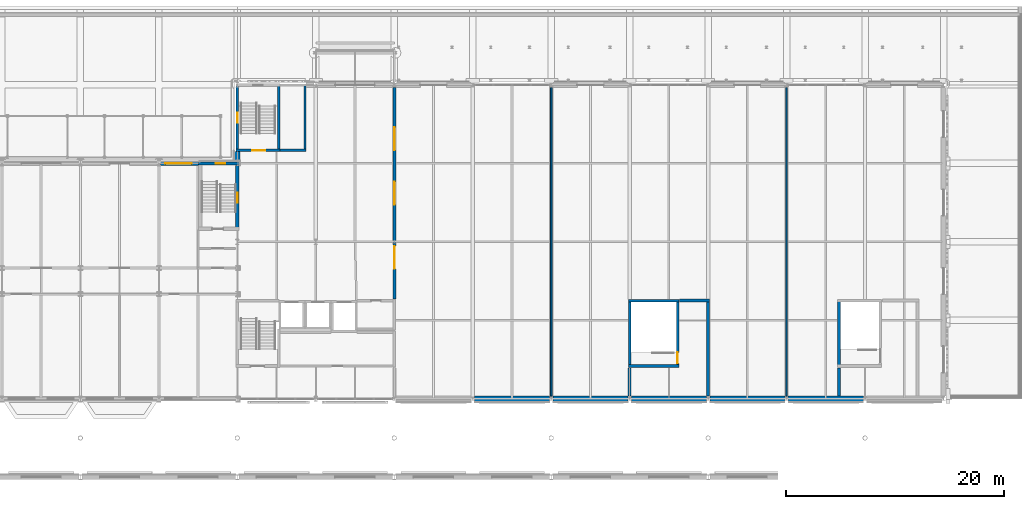
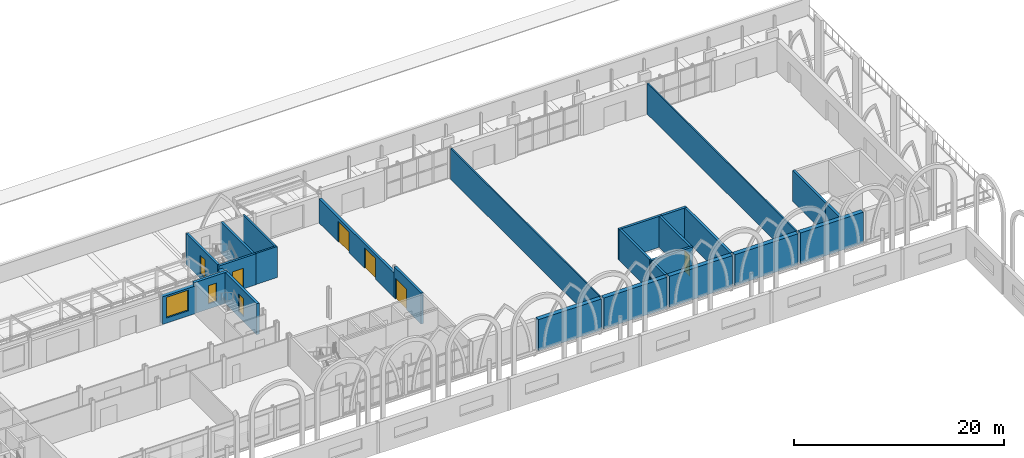
# One storey, part 83 of 143: 27 walls, 5 doors, 4 windows, 9 openings.
"""IFC4 building model written with IfcOpenShell, lengths in metres."""

from ifc_helpers import new_model, si_unit, direction, frame, frame_2d, origin, place, context, subcontext, project, spatial, rectangle, extrude, material, layer, layer_set, type_object, element, fill, save


model = new_model("IFC4")

# Units and contexts
model_context = context("Model", 3, precision=1e-05, world=origin(), true_north=direction((0.0, 1.0)))
body_context = subcontext(model_context, "Body", "Model", "MODEL_VIEW")
ifc_project = project(units=[si_unit("LENGTHUNIT", "METRE"), si_unit("AREAUNIT", "SQUARE_METRE"), si_unit("VOLUMEUNIT", "CUBIC_METRE"), si_unit("PLANEANGLEUNIT", "RADIAN"), si_unit("MASSUNIT", "GRAM", prefix="KILO")], contexts=[model_context])

# Site, building, storey
site_placement = place(None, origin())
site = spatial("IfcSite", under=ifc_project, at=site_placement, CompositionType="ELEMENT")
building_placement = place(site_placement, origin())
building = spatial("IfcBuilding", under=site, at=building_placement, Name="Kupolbacken Congress Centre", CompositionType="ELEMENT")
storey_placement = place(building_placement, frame((0.0, 0.0, 7.199951171875)))
storey = spatial("IfcBuildingStorey", under=building, at=storey_placement, Name="L02", CompositionType="ELEMENT", Elevation=7.199951171875)

# Wall, opening, window
ifc_material_1 = material(Name="Limestone", Category="masonry")
ifc_layer_1 = layer(ifc_material_1, 0.1201171875)
ifc_material_2 = material(Name="Air cavity", Category="air")
ifc_layer_2 = layer(ifc_material_2, 0.0400390625, ventilated=True)
ifc_material_3 = material(Name="Mineral wool", Category="insulation")
ifc_layer_3 = layer(ifc_material_3, 0.169921875)
ifc_material_4 = material(Name="Steel studs", Category="metal")
ifc_layer_4 = layer(ifc_material_4, 0.050048828125)
ifc_layer_set_1 = layer_set([ifc_layer_1, ifc_layer_2, ifc_layer_3, ifc_layer_4], Name="Limestone / Mineral wool / Steel studs")
wall_type_1 = type_object("IfcWallType", Name="EW03 external cavity wall 380", PredefinedType="SOLIDWALL", material=ifc_layer_set_1)
wall_1_placement = place(storey_placement, frame((133.39990234375, 144.0, 0.0), z_axis=(0.0, 0.0, 1.0), x_axis=(-1.0, 0.0, 0.0)))
wall_1 = element("IfcWall", 1, at=wall_1_placement, inside=storey, type_object=wall_type_1, Name="E/T/N/L02/014", PredefinedType="SOLIDWALL", context=body_context, shape_type="SweptSolid", body=[
    extrude(rectangle(XDim=3.646484375, YDim=0.3798828125, at=frame_2d((1.8232421875, 0.0))), origin(), (0.0, 0.0, 1.0), 3.219970703125),
])
opening_1_placement = place(wall_1_placement, frame((0.800048828125, 0.0, 0.60009765625)))
opening_1 = element("IfcOpeningElement", 2, at=opening_1_placement, cuts=wall_1, Name="Opening W30", PredefinedType="OPENING", context=body_context, shape_type="SweptSolid", body=[
    extrude(rectangle(XDim=2.39990234375, YDim=2.39990234375, at=frame_2d((1.199951171875, 1.199951171875))), frame((0.0, 0.199951171875, 0.0), z_axis=(0.0, -1.0, 0.0), x_axis=(1.0, 0.0, 0.0)), (0.0, 0.0, 1.0), 0.39990234375),
])
ifc_material_5 = material(Name="Aluminium frame with double or triple glazing", Category="aluminium")
window_type_1 = type_object("IfcWindowType", Name="W30 window 2400x2400", PartitioningType="DOUBLE_PANEL_VERTICAL", PredefinedType="WINDOW", material=ifc_material_5)
window_1_placement = place(opening_1_placement, origin())
window_1 = element("IfcWindow", 3, at=window_1_placement, inside=storey, type_object=window_type_1, Name="E/T/N/L02/014/W1", OverallHeight=2.39990234375, OverallWidth=2.39990234375, PartitioningType="SINGLE_PANEL", PredefinedType="WINDOW", context=body_context, shape_type="SweptSolid", body=[
    extrude(rectangle(XDim=2.39990234375, YDim=2.39990234375, at=frame_2d((1.199951171875, 1.199951171875))), frame((0.0, 0.030029296875, 0.0), z_axis=(0.0, -1.0, 0.0), x_axis=(1.0, 0.0, 0.0)), (0.0, 0.0, 1.0), 0.06005859375),
])
fill(opening_1, window_1)

# Walls
ifc_layer_5 = layer(ifc_material_1, 0.14990234375)
ifc_layer_6 = layer(ifc_material_2, 0.0400390625, ventilated=True)
ifc_layer_7 = layer(ifc_material_3, 0.169921875)
ifc_material_6 = material(Name="Concrete block", Category="masonry")
ifc_layer_8 = layer(ifc_material_6, 0.1201171875)
ifc_layer_set_2 = layer_set([ifc_layer_5, ifc_layer_6, ifc_layer_7, ifc_layer_8], Name="Limestone / Mineral wool / Concrete block")
wall_type_2 = type_object("IfcWallType", Name="EW07 external cavity wall 480", PredefinedType="SOLIDWALL", material=ifc_layer_set_2)
for number, where, z_axis, x_axis, name in (
    (4, (158.550048828125, 122.39990234375, 0.0), (0.0, 0.0, 1.0), (1.0, 0.0, 0.0), "E/B/S/L02/213"),
    (5, (165.75, 122.39990234375, 0.0), (0.0, 0.0, 1.0), (1.0, 0.0, 0.0), "E/B/S/L02/214"),
):
    element("IfcWall", number, at=place(storey_placement, frame(where, z_axis=z_axis, x_axis=x_axis)), inside=storey, type_object=wall_type_2, Name=name, PredefinedType="SOLIDWALL", context=body_context, shape_type="SweptSolid", body=[
        extrude(rectangle(XDim=6.89990234375, YDim=0.47998046875, at=frame_2d((3.449951171875, 0.0))), origin(), (0.0, 0.0, 1.0), 3.60009765625),
    ])
for number, where, z_axis, x_axis, name in (
    (6, (172.949951171875, 122.39990234375, 0.0), (0.0, 0.0, 1.0), (1.0, 0.0, 0.0), "E/B/S/L02/215"),
    (7, (180.14990234375, 122.39990234375, 0.0), (0.0, 0.0, 1.0), (1.0, 0.0, 0.0), "E/B/S/L02/216"),
):
    element("IfcWall", number, at=place(storey_placement, frame(where, z_axis=z_axis, x_axis=x_axis)), inside=storey, type_object=wall_type_2, Name=name, PredefinedType="SOLIDWALL", context=body_context, shape_type="SweptSolid", body=[
        extrude(rectangle(XDim=6.900146484375, YDim=0.47998046875, at=frame_2d((3.4501953125, 0.0))), origin(), (0.0, 0.0, 1.0), 3.60009765625),
    ])
wall_2_placement = place(storey_placement, frame((187.35009765625, 122.39990234375, 0.0), z_axis=(0.0, 0.0, 1.0), x_axis=(1.0, 0.0, 0.0)))
element("IfcWall", 8, at=wall_2_placement, inside=storey, type_object=wall_type_2, Name="E/B/S/L02/217", PredefinedType="SOLIDWALL", context=body_context, shape_type="SweptSolid", body=[
    extrude(rectangle(XDim=6.89990234375, YDim=0.47998046875, at=frame_2d((3.449951171875, 0.0))), origin(), (0.0, 0.0, 1.0), 3.60009765625),
])
wall_3_placement = place(storey_placement, frame((136.800048828125, 145.074951171875, 0.0), z_axis=(0.0, 0.0, 1.0), x_axis=(0.0, -1.0, 0.0)))
element("IfcWall", 9, at=wall_3_placement, inside=storey, type_object=wall_type_2, Name="E/BF/W/L02/226", PredefinedType="SOLIDWALL", context=body_context, shape_type="SweptSolid", body=[
    extrude(rectangle(XDim=0.849853515625, YDim=0.47998046875, at=frame_2d((0.4248046875, 0.0))), origin(), (0.0, 0.0, 1.0), 3.219970703125),
])
ifc_material_7 = material(Name="Operable acoustic wall panels", Category="metal")
ifc_layer_9 = layer(ifc_material_7, 0.14501953125)
ifc_layer_set_3 = layer_set([ifc_layer_9], Name="Operable acoustic wall panels")
wall_type_3 = type_object("IfcWallType", Name="MP3 movable partition 145", PredefinedType="MOVABLE", material=ifc_layer_set_3)
for number, where, z_axis, x_axis, name in (
    (10, (165.60009765625, 122.639892578125, 0.0), (0.0, 0.0, 1.0), (0.0, 1.0, 0.0), "PD/L02/MP/166"),
    (11, (187.199951171875, 122.639892578125, 0.0), (0.0, 0.0, 1.0), (0.0, 1.0, 0.0), "PD/L02/MP/187"),
):
    element("IfcWall", number, at=place(storey_placement, frame(where, z_axis=z_axis, x_axis=x_axis)), inside=storey, type_object=wall_type_3, Name=name, PredefinedType="MOVABLE", context=body_context, shape_type="SweptSolid", body=[
        extrude(rectangle(XDim=28.320068359375, YDim=0.14501953125, at=frame_2d((14.16015625, 0.0))), origin(), (0.0, 0.0, 1.0), 3.60009765625),
    ])
ifc_material_8 = material(Name="Gypsum board", Category="drywall")
ifc_layer_10 = layer(ifc_material_8, 0.27490234375)
ifc_layer_set_4 = layer_set([ifc_layer_10], Name="Gypsum board")
wall_type_4 = type_object("IfcWallType", Name="P12 partition 275", PredefinedType="PARTITIONING", material=ifc_layer_set_4)
for number, where, z_axis, x_axis, name in (
    (12, (192.0, 122.639892578125, 0.0), (0.0, 0.0, 1.0), (0.0, 1.0, 0.0), "PD/L02/W011"),
    (13, (172.800048828125, 122.639892578125, 0.0), (0.0, 0.0, 1.0), (0.0, 1.0, 0.0), "PD/L02/W014"),
):
    element("IfcWall", number, at=place(storey_placement, frame(where, z_axis=z_axis, x_axis=x_axis)), inside=storey, type_object=wall_type_4, Name=name, PredefinedType="PARTITIONING", context=body_context, shape_type="SweptSolid", body=[
        extrude(rectangle(XDim=2.5751953125, YDim=0.27490234375, at=frame_2d((1.28759765625, 0.0))), origin(), (0.0, 0.0, 1.0), 3.60009765625),
    ])
wall_4_placement = place(storey_placement, frame((177.385009765625, 131.39990234375, 0.0), z_axis=(0.0, 0.0, 1.0), x_axis=(1.0, 0.0, 0.0)))
element("IfcWall", 14, at=wall_4_placement, inside=storey, type_object=wall_type_4, Name="PD/L02/W015", PredefinedType="PARTITIONING", context=body_context, shape_type="SweptSolid", body=[
    extrude(rectangle(XDim=2.75244140625, YDim=0.27490234375, at=frame_2d((1.376220703125, 0.0))), origin(), (0.0, 0.0, 1.0), 3.60009765625),
])
wall_5_placement = place(storey_placement, frame((180.0, 131.262451171875, 0.0), z_axis=(0.0, 0.0, 1.0), x_axis=(0.0, -1.0, 0.0)))
element("IfcWall", 15, at=wall_5_placement, inside=storey, type_object=wall_type_4, Name="PD/L02/W016", PredefinedType="PARTITIONING", context=body_context, shape_type="SweptSolid", body=[
    extrude(rectangle(XDim=8.62255859375, YDim=0.27490234375, at=frame_2d((4.311279296875, 0.0))), origin(), (0.0, 0.0, 1.0), 3.60009765625),
])

# Wall, openings, doors
wall_6_placement = place(storey_placement, frame((151.199951171875, 150.9599609375, 0.0), z_axis=(0.0, 0.0, 1.0), x_axis=(0.0, -1.0, 0.0)))
wall_6 = element("IfcWall", 16, at=wall_6_placement, inside=storey, type_object=wall_type_4, Name="PD/L02/W068", PredefinedType="PARTITIONING", context=body_context, shape_type="SweptSolid", body=[
    extrude(rectangle(XDim=14.31005859375, YDim=0.27490234375, at=frame_2d((7.155029296875, 0.0))), origin(), (0.0, 0.0, 1.0), 2.820068359375),
])
opening_2_placement = place(wall_6_placement, frame((8.64990234375, 0.0, 0.0)))
opening_2 = element("IfcOpeningElement", 17, at=opening_2_placement, cuts=wall_6, Name="Opening 2.B03", PredefinedType="OPENING", context=body_context, shape_type="SweptSolid", body=[
    extrude(rectangle(XDim=2.10009765625, YDim=2.39990234375, at=frame_2d((1.050048828125, 1.199951171875))), frame((0.0, 0.1474609375, 0.0), z_axis=(0.0, -1.0, 0.0), x_axis=(1.0, 0.0, 0.0)), (0.0, 0.0, 1.0), 0.294921875),
])
opening_3_placement = place(wall_6_placement, frame((3.64990234375, 0.0, 0.0)))
opening_3 = element("IfcOpeningElement", 18, at=opening_3_placement, cuts=wall_6, Name="Opening 2.B04", PredefinedType="OPENING", context=body_context, shape_type="SweptSolid", body=[
    extrude(rectangle(XDim=2.10009765625, YDim=2.39990234375, at=frame_2d((1.050048828125, 1.199951171875))), frame((0.0, 0.1474609375, 0.0), z_axis=(0.0, -1.0, 0.0), x_axis=(1.0, 0.0, 0.0)), (0.0, 0.0, 1.0), 0.294921875),
])
ifc_material_9 = material(Name="Steel fire door leaf", Category="steel")
door_type_1 = type_object("IfcDoorType", Name="D17 fire door 2100x2400", OperationType="DOUBLE_DOOR_SINGLE_SWING", PredefinedType="DOOR", material=ifc_material_9)
door_1_placement = place(opening_2_placement, frame((2.10009765625, 0.0, 0.0), z_axis=(0.0, 0.0, 1.0), x_axis=(-1.0, 0.0, 0.0)))
door_1 = element("IfcDoor", 19, at=door_1_placement, inside=storey, type_object=door_type_1, Name="PD/L02/W068/D2B03", OperationType="DOUBLE_DOOR_SINGLE_SWING", OverallHeight=2.39990234375, OverallWidth=2.10009765625, PredefinedType="DOOR", context=body_context, shape_type="SweptSolid", body=[
    extrude(rectangle(XDim=2.10009765625, YDim=2.39990234375, at=frame_2d((1.050048828125, 1.199951171875))), frame((0.0, 0.02490234375, 0.0), z_axis=(0.0, -1.0, 0.0), x_axis=(1.0, 0.0, 0.0)), (0.0, 0.0, 1.0), 0.050048828125),
])
fill(opening_2, door_1)
door_2_placement = place(opening_3_placement, frame((2.10009765625, 0.0, 0.0), z_axis=(0.0, 0.0, 1.0), x_axis=(-1.0, 0.0, 0.0)))
door_2 = element("IfcDoor", 20, at=door_2_placement, inside=storey, type_object=door_type_1, Name="PD/L02/W068/D2B04", OperationType="DOUBLE_DOOR_SINGLE_SWING", OverallHeight=2.39990234375, OverallWidth=2.10009765625, PredefinedType="DOOR", context=body_context, shape_type="SweptSolid", body=[
    extrude(rectangle(XDim=2.10009765625, YDim=2.39990234375, at=frame_2d((1.050048828125, 1.199951171875))), frame((0.0, 0.02490234375, 0.0), z_axis=(0.0, -1.0, 0.0), x_axis=(1.0, 0.0, 0.0)), (0.0, 0.0, 1.0), 0.050048828125),
])
fill(opening_3, door_2)

# Wall, opening, door
wall_7_placement = place(storey_placement, frame((151.199951171875, 136.64990234375, 0.0), z_axis=(0.0, 0.0, 1.0), x_axis=(0.0, -1.0, 0.0)))
wall_7 = element("IfcWall", 21, at=wall_7_placement, inside=storey, type_object=wall_type_4, Name="PD/L02/W068.h1", PredefinedType="PARTITIONING", context=body_context, shape_type="SweptSolid", body=[
    extrude(rectangle(XDim=5.08984375, YDim=0.27490234375, at=frame_2d((2.544921875, 0.0))), origin(), (0.0, 0.0, 1.0), 3.60009765625),
])
opening_4_placement = place(wall_7_placement, frame((0.239990234375, 0.0, 0.0)))
opening_4 = element("IfcOpeningElement", 22, at=opening_4_placement, cuts=wall_7, Name="Opening 2.B05", PredefinedType="OPENING", context=body_context, shape_type="SweptSolid", body=[
    extrude(rectangle(XDim=2.10009765625, YDim=2.39990234375, at=frame_2d((1.050048828125, 1.199951171875))), frame((0.0, 0.1474609375, 0.0), z_axis=(0.0, -1.0, 0.0), x_axis=(1.0, 0.0, 0.0)), (0.0, 0.0, 1.0), 0.294921875),
])
door_3_placement = place(opening_4_placement, frame((2.10009765625, 0.0, 0.0), z_axis=(0.0, 0.0, 1.0), x_axis=(-1.0, 0.0, 0.0)))
door_3 = element("IfcDoor", 23, at=door_3_placement, inside=storey, type_object=door_type_1, Name="PD/L02/W068/D2B05", OperationType="DOUBLE_DOOR_SINGLE_SWING", OverallHeight=2.39990234375, OverallWidth=2.10009765625, PredefinedType="DOOR", context=body_context, shape_type="SweptSolid", body=[
    extrude(rectangle(XDim=2.10009765625, YDim=2.39990234375, at=frame_2d((1.050048828125, 1.199951171875))), frame((0.0, 0.02490234375, 0.0), z_axis=(0.0, -1.0, 0.0), x_axis=(1.0, 0.0, 0.0)), (0.0, 0.0, 1.0), 0.050048828125),
])
fill(opening_4, door_3)

# Walls
ifc_material_10 = material(Name="Concrete C40/50", Category="concrete")
ifc_layer_11 = layer(ifc_material_10, 0.199951171875)
ifc_layer_set_5 = layer_set([ifc_layer_11], Name="Concrete C40/50")
wall_type_5 = type_object("IfcWallType", Name="WC1 RC shaft wall 200", PredefinedType="SHEAR", material=ifc_layer_set_5)
wall_8_placement = place(storey_placement, frame((140.72509765625, 145.199951171875, 0.0), z_axis=(0.0, 0.0, 1.0), x_axis=(1.0, 0.0, 0.0)))
element("IfcWall", 24, at=wall_8_placement, inside=storey, type_object=wall_type_5, Name="Shaft wall L02-133", PredefinedType="SHEAR", context=body_context, shape_type="SweptSolid", body=[
    extrude(rectangle(XDim=2.375, YDim=0.199951171875, at=frame_2d((1.1875, 0.0))), origin(), (0.0, 0.0, 1.0), 3.60009765625),
])
wall_9_placement = place(storey_placement, frame((143.0, 145.10009765625, 0.0), z_axis=(0.0, 0.0, 1.0), x_axis=(0.0, 1.0, 0.0)))
element("IfcWall", 25, at=wall_9_placement, inside=storey, type_object=wall_type_5, Name="Shaft wall L02-135", PredefinedType="SHEAR", context=body_context, shape_type="SweptSolid", body=[
    extrude(rectangle(XDim=6.199951171875, YDim=0.199951171875, at=frame_2d((3.10009765625, 0.0))), origin(), (0.0, 0.0, 1.0), 3.60009765625),
])
ifc_material_11 = material(Name="Concrete C40/50", Category="concrete")
ifc_layer_12 = layer(ifc_material_11, 0.25)
ifc_layer_set_6 = layer_set([ifc_layer_12], Name="Concrete C40/50")
wall_type_6 = type_object("IfcWallType", Name="WC2 RC stair enclosure wall 250", PredefinedType="SHEAR", material=ifc_layer_set_6)
wall_10_placement = place(storey_placement, frame((172.675048828125, 125.39990234375, 0.0), z_axis=(0.0, 0.0, 1.0), x_axis=(1.0, 0.0, 0.0)))
element("IfcWall", 26, at=wall_10_placement, inside=storey, type_object=wall_type_6, Name="Stair enclosure wall L02-086", PredefinedType="SHEAR", context=body_context, shape_type="SweptSolid", body=[
    extrude(rectangle(XDim=4.64990234375, YDim=0.25, at=frame_2d((2.324951171875, 0.0))), origin(), (0.0, 0.0, 1.0), 3.60009765625),
])

# Wall, opening, door
wall_11_placement = place(storey_placement, frame((177.199951171875, 125.27490234375, 0.0), z_axis=(0.0, 0.0, 1.0), x_axis=(0.0, 1.0, 0.0)))
wall_11 = element("IfcWall", 27, at=wall_11_placement, inside=storey, type_object=wall_type_6, Name="Stair enclosure wall L02-087", PredefinedType="SHEAR", context=body_context, shape_type="SweptSolid", body=[
    extrude(rectangle(XDim=6.25, YDim=0.25, at=frame_2d((3.125, 0.0))), origin(), (0.0, 0.0, 1.0), 3.60009765625),
])
opening_5_placement = place(wall_11_placement, frame((0.375, 0.0, 0.0)))
opening_5 = element("IfcOpeningElement", 28, at=opening_5_placement, cuts=wall_11, Name="Opening 2.B02", PredefinedType="OPENING", context=body_context, shape_type="SweptSolid", body=[
    extrude(rectangle(XDim=1.0, YDim=2.39990234375, at=frame_2d((0.5, 1.199951171875))), frame((0.0, 0.135009765625, 0.0), z_axis=(0.0, -1.0, 0.0), x_axis=(1.0, 0.0, 0.0)), (0.0, 0.0, 1.0), 0.27001953125),
])
ifc_material_12 = material(Name="Steel fire door leaf", Category="steel")
door_type_2 = type_object("IfcDoorType", Name="D8 fire door 1000x2400", OperationType="SINGLE_SWING_LEFT", PredefinedType="DOOR", material=ifc_material_12)
door_4_placement = place(opening_5_placement, origin())
door_4 = element("IfcDoor", 29, at=door_4_placement, inside=storey, type_object=door_type_2, Name="S/core/L02/087/D2B02", OperationType="SINGLE_SWING_RIGHT", OverallHeight=2.39990234375, OverallWidth=1.0, PredefinedType="DOOR", context=body_context, shape_type="SweptSolid", body=[
    extrude(rectangle(XDim=1.0, YDim=2.39990234375, at=frame_2d((0.5, 1.199951171875))), frame((0.0, 0.02490234375, 0.0), z_axis=(0.0, -1.0, 0.0), x_axis=(1.0, 0.0, 0.0)), (0.0, 0.0, 1.0), 0.050048828125),
])
fill(opening_5, door_4)

# Walls
wall_12_placement = place(storey_placement, frame((172.800048828125, 131.52490234375, 0.0), z_axis=(0.0, 0.0, 1.0), x_axis=(0.0, -1.0, 0.0)))
element("IfcWall", 30, at=wall_12_placement, inside=storey, type_object=wall_type_6, Name="Stair enclosure wall L02-104", PredefinedType="SHEAR", context=body_context, shape_type="SweptSolid", body=[
    extrude(rectangle(XDim=6.25, YDim=0.25, at=frame_2d((3.125, 0.0))), origin(), (0.0, 0.0, 1.0), 3.60009765625),
])
wall_13_placement = place(storey_placement, frame((177.324951171875, 131.39990234375, 0.0), z_axis=(0.0, 0.0, 1.0), x_axis=(-1.0, 0.0, 0.0)))
element("IfcWall", 31, at=wall_13_placement, inside=storey, type_object=wall_type_6, Name="Stair enclosure wall L02-105", PredefinedType="SHEAR", context=body_context, shape_type="SweptSolid", body=[
    extrude(rectangle(XDim=4.64990234375, YDim=0.25, at=frame_2d((2.324951171875, 0.0))), origin(), (0.0, 0.0, 1.0), 3.60009765625),
])
wall_14_placement = place(storey_placement, frame((192.0, 131.52490234375, 0.0), z_axis=(0.0, 0.0, 1.0), x_axis=(0.0, -1.0, 0.0)))
element("IfcWall", 32, at=wall_14_placement, inside=storey, type_object=wall_type_6, Name="Stair enclosure wall L02-106", PredefinedType="SHEAR", context=body_context, shape_type="SweptSolid", body=[
    extrude(rectangle(XDim=6.25, YDim=0.25, at=frame_2d((3.125, 0.0))), origin(), (0.0, 0.0, 1.0), 3.60009765625),
])

# Wall, opening, door
wall_15_placement = place(storey_placement, frame((136.675048828125, 145.199951171875, 0.0), z_axis=(0.0, 0.0, 1.0), x_axis=(1.0, 0.0, 0.0)))
wall_15 = element("IfcWall", 33, at=wall_15_placement, inside=storey, type_object=wall_type_6, Name="Stair enclosure wall L02-132", PredefinedType="SHEAR", context=body_context, shape_type="SweptSolid", body=[
    extrude(rectangle(XDim=4.050048828125, YDim=0.25, at=frame_2d((2.02490234375, 0.0))), origin(), (0.0, 0.0, 1.0), 3.60009765625),
])
opening_6_placement = place(wall_15_placement, frame((1.47509765625, 0.0, 0.0)))
opening_6 = element("IfcOpeningElement", 34, at=opening_6_placement, cuts=wall_15, Name="Opening 2.G04", PredefinedType="OPENING", context=body_context, shape_type="SweptSolid", body=[
    extrude(rectangle(XDim=1.199951171875, YDim=2.39990234375, at=frame_2d((0.60009765625, 1.199951171875))), frame((0.0, 0.135009765625, 0.0), z_axis=(0.0, -1.0, 0.0), x_axis=(1.0, 0.0, 0.0)), (0.0, 0.0, 1.0), 0.27001953125),
])
ifc_material_13 = material(Name="Steel fire door leaf", Category="steel")
door_type_3 = type_object("IfcDoorType", Name="D9 fire door 1200x2400", OperationType="SINGLE_SWING_LEFT", PredefinedType="DOOR", material=ifc_material_13)
door_5_placement = place(opening_6_placement, origin())
door_5 = element("IfcDoor", 35, at=door_5_placement, inside=storey, type_object=door_type_3, Name="S/core/L02/132/D2G04", OperationType="SINGLE_SWING_LEFT", OverallHeight=2.39990234375, OverallWidth=1.199951171875, PredefinedType="DOOR", context=body_context, shape_type="SweptSolid", body=[
    extrude(rectangle(XDim=1.199951171875, YDim=2.39990234375, at=frame_2d((0.60009765625, 1.199951171875))), frame((0.0, 0.02490234375, 0.0), z_axis=(0.0, -1.0, 0.0), x_axis=(1.0, 0.0, 0.0)), (0.0, 0.0, 1.0), 0.050048828125),
])
fill(opening_6, door_5)

# Wall
wall_16_placement = place(storey_placement, frame((140.60009765625, 145.074951171875, 0.0), z_axis=(0.0, 0.0, 1.0), x_axis=(0.0, 1.0, 0.0)))
element("IfcWall", 36, at=wall_16_placement, inside=storey, type_object=wall_type_6, Name="Stair enclosure wall L02-134", PredefinedType="SHEAR", context=body_context, shape_type="SweptSolid", body=[
    extrude(rectangle(XDim=6.25, YDim=0.25, at=frame_2d((3.125, 0.0))), origin(), (0.0, 0.0, 1.0), 3.60009765625),
])

# Wall, opening, window
wall_17_placement = place(storey_placement, frame((136.800048828125, 151.324951171875, 0.0), z_axis=(0.0, 0.0, 1.0), x_axis=(0.0, -1.0, 0.0)))
wall_17 = element("IfcWall", 37, at=wall_17_placement, inside=storey, type_object=wall_type_6, Name="Stair enclosure wall L02-136", PredefinedType="SHEAR", context=body_context, shape_type="SweptSolid", body=[
    extrude(rectangle(XDim=6.25, YDim=0.25, at=frame_2d((3.125, 0.0))), origin(), (0.0, 0.0, 1.0), 3.60009765625),
])
opening_7_placement = place(wall_17_placement, frame((2.675048828125, 0.0, 0.60009765625)))
opening_7 = element("IfcOpeningElement", 38, at=opening_7_placement, cuts=wall_17, Name="Opening W28", PredefinedType="OPENING", context=body_context, shape_type="SweptSolid", body=[
    extrude(rectangle(XDim=0.89990234375, YDim=2.10009765625, at=frame_2d((0.449951171875, 1.050048828125))), frame((0.0, 0.135009765625, 0.0), z_axis=(0.0, -1.0, 0.0), x_axis=(1.0, 0.0, 0.0)), (0.0, 0.0, 1.0), 0.27001953125),
])
ifc_material_14 = material(Name="Aluminium frame with double or triple glazing", Category="aluminium")
window_type_2 = type_object("IfcWindowType", Name="W28 window 900x2100", PartitioningType="SINGLE_PANEL", PredefinedType="WINDOW", material=ifc_material_14)
window_2_placement = place(opening_7_placement, origin())
window_2 = element("IfcWindow", 39, at=window_2_placement, inside=storey, type_object=window_type_2, Name="S/core/L02/136/W1/L02", OverallHeight=2.10009765625, OverallWidth=0.89990234375, PartitioningType="SINGLE_PANEL", PredefinedType="WINDOW", context=body_context, shape_type="SweptSolid", body=[
    extrude(rectangle(XDim=0.89990234375, YDim=2.10009765625, at=frame_2d((0.449951171875, 1.050048828125))), frame((0.0, 0.030029296875, 0.0), z_axis=(0.0, -1.0, 0.0), x_axis=(1.0, 0.0, 0.0)), (0.0, 0.0, 1.0), 0.06005859375),
])
fill(opening_7, window_2)

ifc_material_15 = material(Name="Concrete C40/50", Category="concrete")
ifc_layer_13 = layer(ifc_material_15, 0.300048828125)
ifc_layer_set_7 = layer_set([ifc_layer_13], Name="Concrete C40/50")
wall_type_7 = type_object("IfcWallType", Name="WC3 RC core wall 300", PredefinedType="SHEAR", material=ifc_layer_set_7)
wall_18_placement = place(storey_placement, frame((136.800048828125, 137.85009765625, 0.0), z_axis=(0.0, 0.0, 1.0), x_axis=(0.0, 1.0, 0.0)))
wall_18 = element("IfcWall", 40, at=wall_18_placement, inside=storey, type_object=wall_type_7, Name="Core wall L02-123", PredefinedType="SHEAR", context=body_context, shape_type="SweptSolid", body=[
    extrude(rectangle(XDim=6.2998046875, YDim=0.300048828125, at=frame_2d((3.14990234375, 0.0))), origin(), (0.0, 0.0, 1.0), 3.60009765625),
])
opening_8_placement = place(wall_18_placement, frame((2.550048828125, 0.0, 0.60009765625)))
opening_8 = element("IfcOpeningElement", 41, at=opening_8_placement, cuts=wall_18, Name="Opening W28", PredefinedType="OPENING", context=body_context, shape_type="SweptSolid", body=[
    extrude(rectangle(XDim=0.89990234375, YDim=2.10009765625, at=frame_2d((0.449951171875, 1.050048828125))), frame((0.0, 0.159912109375, 0.0), z_axis=(0.0, -1.0, 0.0), x_axis=(1.0, 0.0, 0.0)), (0.0, 0.0, 1.0), 0.320068359375),
])
window_3_placement = place(opening_8_placement, origin())
window_3 = element("IfcWindow", 42, at=window_3_placement, inside=storey, type_object=window_type_2, Name="S/core/L02/123/WW28", OverallHeight=2.10009765625, OverallWidth=0.89990234375, PartitioningType="SINGLE_PANEL", PredefinedType="WINDOW", context=body_context, shape_type="SweptSolid", body=[
    extrude(rectangle(XDim=0.89990234375, YDim=2.10009765625, at=frame_2d((0.449951171875, 1.050048828125))), frame((0.0, 0.030029296875, 0.0), z_axis=(0.0, -1.0, 0.0), x_axis=(1.0, 0.0, 0.0)), (0.0, 0.0, 1.0), 0.06005859375),
])
fill(opening_8, window_3)

wall_19_placement = place(storey_placement, frame((136.949951171875, 144.0, 0.0), z_axis=(0.0, 0.0, 1.0), x_axis=(-1.0, 0.0, 0.0)))
wall_19 = element("IfcWall", 43, at=wall_19_placement, inside=storey, type_object=wall_type_7, Name="Core wall L02-131", PredefinedType="SHEAR", context=body_context, shape_type="SweptSolid", body=[
    extrude(rectangle(XDim=3.699951171875, YDim=0.300048828125, at=frame_2d((1.85009765625, 0.0))), origin(), (0.0, 0.0, 1.0), 3.60009765625),
])
opening_9_placement = place(wall_19_placement, frame((1.25, 0.0, 0.60009765625)))
opening_9 = element("IfcOpeningElement", 44, at=opening_9_placement, cuts=wall_19, Name="Opening W28", PredefinedType="OPENING", context=body_context, shape_type="SweptSolid", body=[
    extrude(rectangle(XDim=0.89990234375, YDim=2.10009765625, at=frame_2d((0.449951171875, 1.050048828125))), frame((0.0, 0.159912109375, 0.0), z_axis=(0.0, -1.0, 0.0), x_axis=(1.0, 0.0, 0.0)), (0.0, 0.0, 1.0), 0.320068359375),
])
window_4_placement = place(opening_9_placement, origin())
window_4 = element("IfcWindow", 45, at=window_4_placement, inside=storey, type_object=window_type_2, Name="S/core/L02/131/WW28", OverallHeight=2.10009765625, OverallWidth=0.89990234375, PartitioningType="SINGLE_PANEL", PredefinedType="WINDOW", context=body_context, shape_type="SweptSolid", body=[
    extrude(rectangle(XDim=0.89990234375, YDim=2.10009765625, at=frame_2d((0.449951171875, 1.050048828125))), frame((0.0, 0.030029296875, 0.0), z_axis=(0.0, -1.0, 0.0), x_axis=(1.0, 0.0, 0.0)), (0.0, 0.0, 1.0), 0.06005859375),
])
fill(opening_9, window_4)

save(model, "model.ifc")
